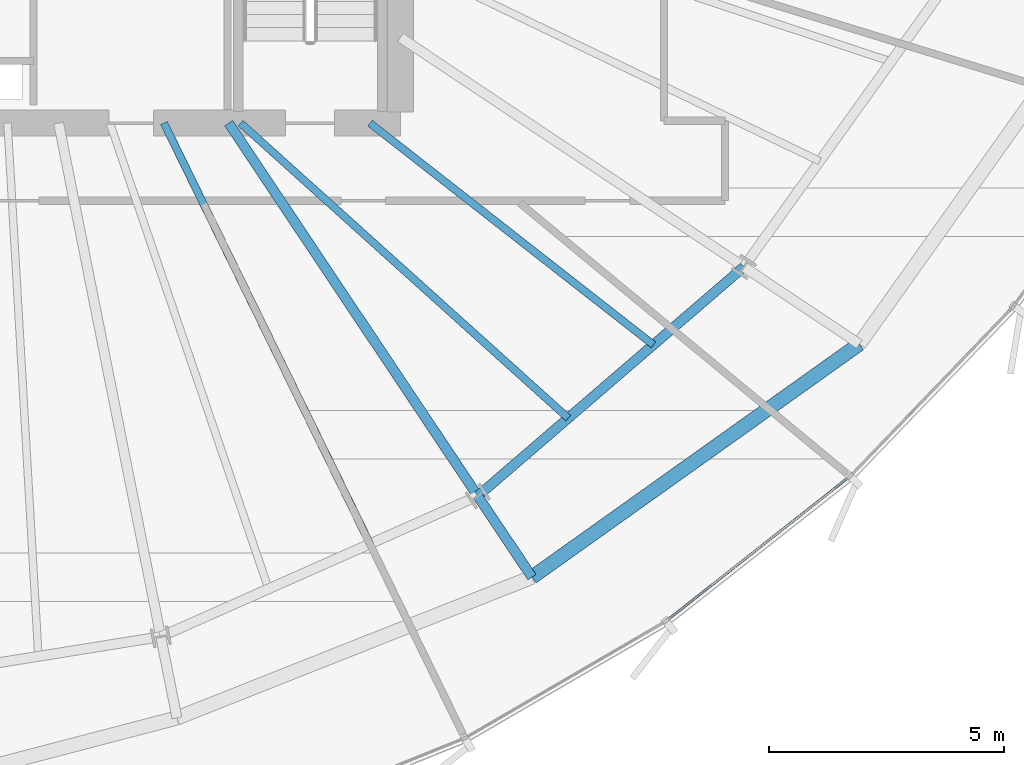
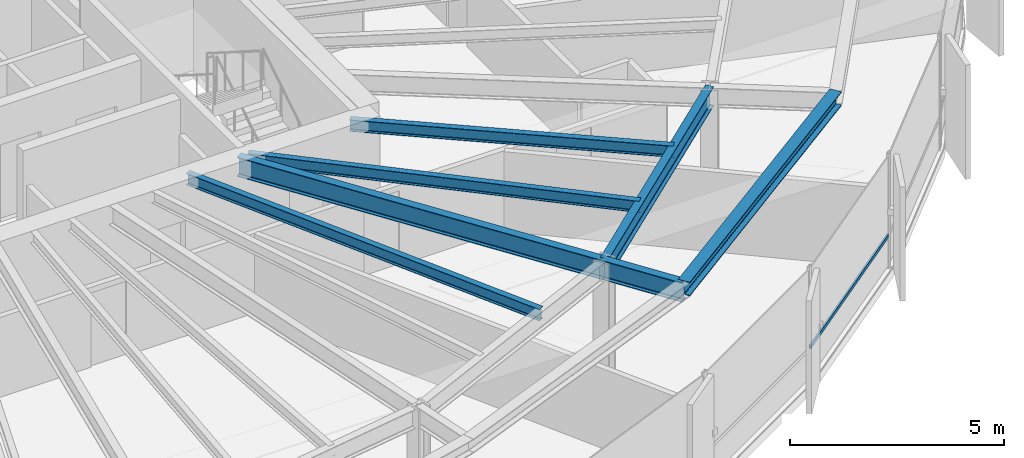
# One storey, part 13 of 35: 7 beams, 1 member, 1 element without a shape of its own.
"""IFC4 building model written with IfcOpenShell, lengths in metres."""

from ifc_helpers import new_model, si_unit, direction, frame, origin, origin_2d, place, context, subcontext, project, spatial, hollow_rectangle, i_section, extrude, source, transform, mapped, material, layer, layer_set, material_profile, profile_set, type_object, element, aggregate, save


model = new_model("IFC4")

# Units and contexts
model_context = context("Model", 3, precision=1e-05, world=origin(), true_north=direction((0.0, 1.0)))
body_context = subcontext(model_context, "Body", "Model", "MODEL_VIEW")
ifc_project = project(units=[si_unit("LENGTHUNIT", "METRE"), si_unit("AREAUNIT", "SQUARE_METRE"), si_unit("VOLUMEUNIT", "CUBIC_METRE"), si_unit("PLANEANGLEUNIT", "RADIAN"), si_unit("MASSUNIT", "GRAM", prefix="KILO"), si_unit("THERMODYNAMICTEMPERATUREUNIT", "KELVIN")], contexts=[model_context])

# Site, building, storey
site_placement = place(None, origin())
site = spatial("IfcSite", under=ifc_project, at=site_placement, CompositionType="ELEMENT")
building_placement = place(site_placement, origin())
building = spatial("IfcBuilding", under=site, at=building_placement, Name="Kethvar Cultural Tower", CompositionType="ELEMENT")
storey_placement = place(building_placement, frame((0.0, 0.0, 139.449951171875)))
storey = spatial("IfcBuildingStorey", under=building, at=storey_placement, Name="L35", CompositionType="ELEMENT", Elevation=139.449951171875)

# Beams
ifc_material_1 = material(Name="Steel S355J2", Category="steel")
ifc_material_profile_1 = material_profile(ifc_material_1, i_section(OverallWidth=0.2099609375, OverallDepth=0.550048828125, WebThickness=0.010986328125, FlangeThickness=0.01708984375, FilletRadius=0.02392578125, at=origin_2d()), Name="Steel S355J2 — IPE550")
ifc_profile_set_1 = profile_set([ifc_material_profile_1], Name="Steel S355J2 — IPE550")
beam_type_1 = type_object("IfcBeamType", Name="BM-IPE550", PredefinedType="BEAM", material=ifc_profile_set_1)
shared_shape_1 = source(origin(), body_context, "Body", "SweptSolid", [
    extrude(i_section(OverallWidth=0.2099609375, OverallDepth=0.550048828125, WebThickness=0.010986328125, FlangeThickness=0.01708984375, FilletRadius=0.02392578125, at=origin_2d()), origin(), (0.0, 0.0, 1.0), 9.534423828125),
])
beam_1_placement = place(storey_placement, frame((51.945068359375, 20.10009765625, 3.02294921875), z_axis=(0.555550817894, -0.831482584747, 0.0), x_axis=(0.831482584747, 0.555550817894, 0.0)))
element("IfcBeam", 1, at=beam_1_placement, inside=storey, type_object=beam_type_1, Name="L35 Primary Radial Beam RB-14", PredefinedType="BEAM", context=body_context, shape_type="MappedRepresentation", body=[
    mapped(shared_shape_1, transform((0.0, 0.0, 0.0), scale=1.0)),
])
ifc_material_profile_2 = material_profile(ifc_material_1, i_section(OverallWidth=0.159912109375, OverallDepth=0.330078125, WebThickness=0.007568359375, FlangeThickness=0.011474609375, FilletRadius=0.01806640625, at=origin_2d()), Name="Steel S355J2 — IPE330")
ifc_profile_set_2 = profile_set([ifc_material_profile_2], Name="Steel S355J2 — IPE330")
beam_type_2 = type_object("IfcBeamType", Name="BM-J330", PredefinedType="JOIST", material=ifc_profile_set_2)
shared_shape_2 = source(origin(), body_context, "Body", "SweptSolid", [
    extrude(i_section(OverallWidth=0.159912109375, OverallDepth=0.330078125, WebThickness=0.007568359375, FlangeThickness=0.011474609375, FilletRadius=0.01806640625, at=origin_2d()), origin(), (0.0, 0.0, 1.0), 9.959228515625),
])
beam_2_placement = place(storey_placement, frame((50.57080078125, 20.10009765625, 3.133056640625), z_axis=(0.439785134514, -0.898103020516, 0.0), x_axis=(0.898103020516, 0.439785134514, 0.0)))
element("IfcBeam", 2, at=beam_2_placement, inside=storey, type_object=beam_type_2, Name="L35 Composite Floor Joist J-13B", PredefinedType="JOIST", context=body_context, shape_type="MappedRepresentation", body=[
    mapped(shared_shape_2, transform((0.0, 0.0, 0.0), scale=1.0)),
])
shared_shape_3 = source(origin(), body_context, "Body", "SweptSolid", [
    extrude(i_section(OverallWidth=0.2099609375, OverallDepth=0.550048828125, WebThickness=0.010986328125, FlangeThickness=0.01708984375, FilletRadius=0.02392578125, at=origin_2d()), origin(), (0.0, 0.0, 1.0), 7.46484375),
])
beam_3_placement = place(storey_placement, frame((57.241943359375, 12.17236328125, 3.02294921875), z_axis=(0.757784075291, 0.652505398625, 0.0), x_axis=(-0.652505398625, 0.757784075291, 0.0)))
element("IfcBeam", 3, at=beam_3_placement, inside=storey, type_object=beam_type_1, Name="L35 Column Ring Tie Beam CR-14", PredefinedType="BEAM", context=body_context, shape_type="MappedRepresentation", body=[
    mapped(shared_shape_3, transform((0.0, 0.0, 0.0), scale=1.0)),
])
shared_shape_4 = source(origin(), body_context, "Body", "SweptSolid", [
    extrude(i_section(OverallWidth=0.159912109375, OverallDepth=0.330078125, WebThickness=0.007568359375, FlangeThickness=0.011474609375, FilletRadius=0.01806640625, at=origin_2d()), origin(), (0.0, 0.0, 1.0), 9.372802734375),
])
beam_4_placement = place(storey_placement, frame((52.199951171875, 20.10009765625, 3.133056640625), z_axis=(0.743151656479, -0.669123019685, 0.0), x_axis=(0.669123019685, 0.743151656479, 0.0)))
element("IfcBeam", 4, at=beam_4_placement, inside=storey, type_object=beam_type_2, Name="L35 Composite Floor Joist J-14A", PredefinedType="JOIST", context=body_context, shape_type="MappedRepresentation", body=[
    mapped(shared_shape_4, transform((0.0, 0.0, 0.0), scale=1.0)),
])
shared_shape_5 = source(origin(), body_context, "Body", "SweptSolid", [
    extrude(i_section(OverallWidth=0.159912109375, OverallDepth=0.330078125, WebThickness=0.007568359375, FlangeThickness=0.011474609375, FilletRadius=0.01806640625, at=origin_2d()), origin(), (0.0, 0.0, 1.0), 7.649658203125),
])
beam_5_placement = place(storey_placement, frame((54.949951171875, 20.10009765625, 3.133056640625), z_axis=(0.787671994752, -0.616094821179, 0.0), x_axis=(0.616094821179, 0.787671994752, 0.0)))
element("IfcBeam", 5, at=beam_5_placement, inside=storey, type_object=beam_type_2, Name="L35 Composite Floor Joist J-14B", PredefinedType="JOIST", context=body_context, shape_type="MappedRepresentation", body=[
    mapped(shared_shape_5, transform((0.0, 0.0, 0.0), scale=1.0)),
])
shared_shape_6 = source(origin(), body_context, "Body", "SweptSolid", [
    extrude(i_section(OverallWidth=0.2099609375, OverallDepth=0.550048828125, WebThickness=0.010986328125, FlangeThickness=0.01708984375, FilletRadius=0.02392578125, at=origin_2d()), origin(), (0.0, 0.0, 1.0), 2.075927734375),
])
beam_6_placement = place(storey_placement, frame((57.241943359375, 12.17236328125, 3.02294921875), z_axis=(0.555568365422, -0.831470860189, 0.0), x_axis=(0.831470860189, 0.555568365422, 0.0)))
element("IfcBeam", 6, at=beam_6_placement, inside=storey, type_object=beam_type_1, Name="L35 Perimeter Cantilever Beam RC-14", PredefinedType="BEAM", context=body_context, shape_type="MappedRepresentation", body=[
    mapped(shared_shape_6, transform((0.0, 0.0, 0.0), scale=1.0)),
])
ifc_material_profile_3 = material_profile(ifc_material_1, i_section(OverallWidth=0.300048828125, OverallDepth=0.39990234375, WebThickness=0.013427734375, FlangeThickness=0.02392578125, FilletRadius=0.027099609375, at=origin_2d()), Name="Steel S355J2 — HEB400")
ifc_profile_set_3 = profile_set([ifc_material_profile_3], Name="Steel S355J2 — HEB400")
beam_type_3 = type_object("IfcBeamType", Name="BM-SP400", PredefinedType="SPANDREL", material=ifc_profile_set_3)
shared_shape_7 = source(origin(), body_context, "Body", "SweptSolid", [
    extrude(i_section(OverallWidth=0.300048828125, OverallDepth=0.39990234375, WebThickness=0.013427734375, FlangeThickness=0.02392578125, FilletRadius=0.027099609375, at=origin_2d()), origin(), (0.0, 0.0, 1.0), 8.543212890625),
])
beam_7_placement = place(storey_placement, frame((58.395263671875, 10.4462890625, 3.09814453125), z_axis=(0.814474267497, 0.580199679064, 0.0), x_axis=(-0.580199679064, 0.814474267497, 0.0)))
element("IfcBeam", 7, at=beam_7_placement, inside=storey, type_object=beam_type_3, Name="L35 Perimeter Spandrel Beam SP-14", PredefinedType="SPANDREL", context=body_context, shape_type="MappedRepresentation", body=[
    mapped(shared_shape_7, transform((0.0, 0.0, 0.0), scale=1.0)),
])

# Curtain wall, member
ifc_material_2 = material(Name="Aluminium 6063-T6", Category="aluminium")
ifc_layer = layer(ifc_material_2, 0.179931640625, Name="Aluminium 6063-T6", Category="aluminium")
ifc_layer_set = layer_set([ifc_layer], Name="Aluminium 6063-T6 (180 mm)")
curtain_wall_type = type_object("IfcCurtainWallType", Name="CW-SYS-04-Z34", PredefinedType="NOTDEFINED", material=ifc_layer_set)
curtain_wall_placement = place(storey_placement, origin())
curtain_wall = element("IfcCurtainWall", 8, at=curtain_wall_placement, inside=storey, type_object=curtain_wall_type, Name="L35 Curtain Wall Run 05", PredefinedType="NOTDEFINED")
ifc_material_profile_4 = material_profile(ifc_material_2, hollow_rectangle(XDim=0.050048828125, YDim=0.10009765625, WallThickness=0.00390625, at=origin_2d()), Name="Aluminium 6063-T6 — RHS100x50x4")
ifc_profile_set_4 = profile_set([ifc_material_profile_4], Name="Aluminium 6063-T6 — RHS100x50x4")
member_type = type_object("IfcMemberType", Name="CW-SYS-04-Z34-TRN", PredefinedType="USERDEFINED", material=ifc_profile_set_4)
shared_shape_8 = source(origin(), body_context, "Body", "SweptSolid", [
    extrude(hollow_rectangle(XDim=0.050048828125, YDim=0.10009765625, WallThickness=0.00390625, at=origin_2d()), origin(), (0.0, 0.0, 1.0), 4.9091796875),
])
member_placement = place(storey_placement, frame((61.27685546875, 9.53857421875, 0.949951171875), z_axis=(0.785745077953, 0.618550460733, 0.0), x_axis=(-0.618550460733, 0.785745077953, 0.0)))
member = element("IfcMember", 9, at=member_placement, type_object=member_type, Name="CW-L35-R05 Transom 5", ObjectType="TRANSOM", PredefinedType="USERDEFINED", context=body_context, shape_type="MappedRepresentation", body=[
    mapped(shared_shape_8, transform((0.0, 0.0, 0.0), scale=1.0)),
])
aggregate(curtain_wall, [member])

save(model, "model.ifc")
